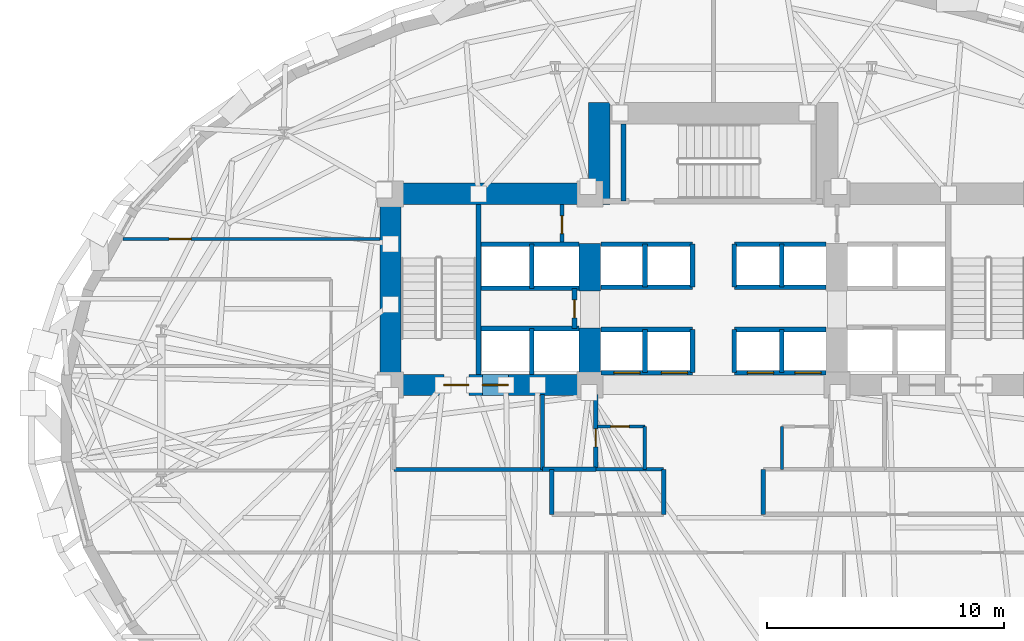
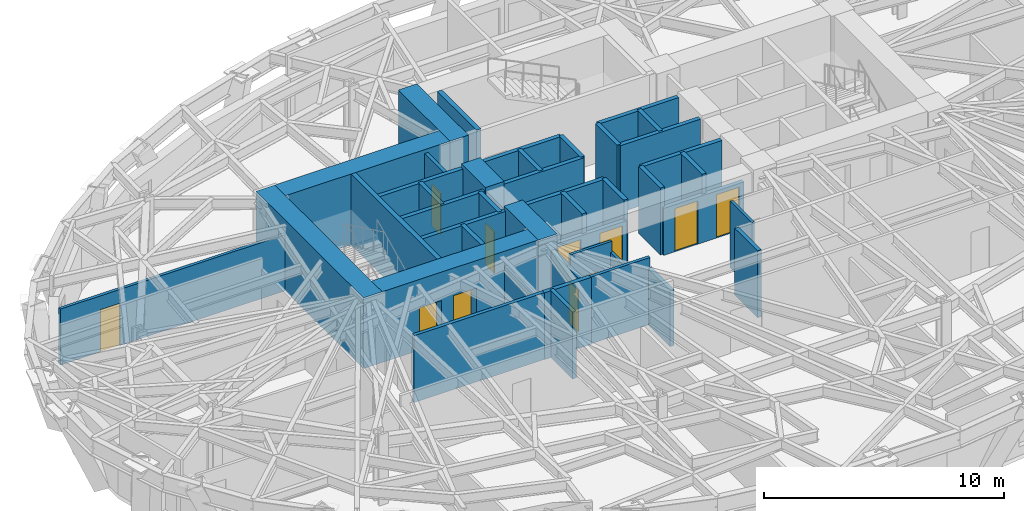
# One storey, part 7 of 14: 43 walls, 11 doors, 11 openings.
"""IFC4 building model written with IfcOpenShell, lengths in metres."""

from ifc_helpers import new_model, si_unit, direction, frame, frame_2d, origin, place, context, subcontext, project, spatial, rectangle, extrude, material, layer, layer_set, type_object, element, fill, save


model = new_model("IFC4")

# Units and contexts
model_context = context("Model", 3, precision=1e-05, world=origin(), true_north=direction((0.0, 1.0)))
body_context = subcontext(model_context, "Body", "Model", "MODEL_VIEW")
ifc_project = project(units=[si_unit("LENGTHUNIT", "METRE"), si_unit("AREAUNIT", "SQUARE_METRE"), si_unit("VOLUMEUNIT", "CUBIC_METRE"), si_unit("PLANEANGLEUNIT", "RADIAN"), si_unit("MASSUNIT", "GRAM", prefix="KILO")], contexts=[model_context])

# Site, building, storey
site_placement = place(None, origin())
site = spatial("IfcSite", under=ifc_project, at=site_placement, CompositionType="ELEMENT")
building_placement = place(site_placement, origin())
building = spatial("IfcBuilding", under=site, at=building_placement, Name="Keldmark Tower", CompositionType="ELEMENT")
storey_placement = place(building_placement, frame((0.0, 0.0, 52.199951171875)))
storey = spatial("IfcBuildingStorey", under=building, at=storey_placement, Name="L13", CompositionType="ELEMENT", Elevation=52.199951171875)

# Wall, opening, door
ifc_material_1 = material(Name="Acoustic Double-Layer Gypsum Corridor Partition", Category="gypsum")
ifc_layer_1 = layer(ifc_material_1, 0.139892578125)
ifc_layer_set_1 = layer_set([ifc_layer_1], Name="Acoustic Double-Layer Gypsum Corridor Partition")
wall_type_1 = type_object("IfcWallType", Name="Acoustic Corridor Partition 140 mm", PredefinedType="PARTITIONING", material=ifc_layer_set_1)
wall_1_placement = place(storey_placement, frame((-24.85595703125, 7.550048828125, 0.0), z_axis=(0.0, 0.0, 1.0), x_axis=(1.0, 0.0, 0.0)))
wall_1 = element("IfcWall", 1, at=wall_1_placement, inside=storey, type_object=wall_type_1, Name="L13 Acoustic Corridor Partition 140 mm COR-WN-CAP", PredefinedType="PARTITIONING", context=body_context, shape_type="SweptSolid", body=[
    extrude(rectangle(XDim=10.805908203125, YDim=0.139892578125, at=frame_2d((5.40283203125, 0.0))), origin(), (0.0, 0.0, 1.0), 2.85302734375),
])
opening_1_placement = place(wall_1_placement, frame((1.939208984375, 0.0, 0.0)))
opening_1 = element("IfcOpeningElement", 2, at=opening_1_placement, cuts=wall_1, Name="Opening D-EX092", PredefinedType="OPENING", context=body_context, shape_type="SweptSolid", body=[
    extrude(rectangle(XDim=0.919921875, YDim=2.14990234375, at=frame_2d((0.4599609375, 1.074951171875))), frame((0.0, 0.079833984375, 0.0), z_axis=(0.0, -1.0, 0.0), x_axis=(1.0, 0.0, 0.0)), (0.0, 0.0, 1.0), 0.159912109375),
])
ifc_material_2 = material(Name="Flush American Ash Executive Office Door", Category="wood")
door_type_1 = type_object("IfcDoorType", Name="Executive Office Door 920x2150", OperationType="NOTDEFINED", PredefinedType="DOOR", material=ifc_material_2)
door_1_placement = place(opening_1_placement, origin())
door_1 = element("IfcDoor", 3, at=door_1_placement, inside=storey, type_object=door_type_1, Name="L13 Executive Office Door 920x2150 D-NRNW-L13", OperationType="SINGLE_SWING_RIGHT", OverallHeight=2.14990234375, OverallWidth=0.919921875, PredefinedType="DOOR", context=body_context, shape_type="SweptSolid", body=[
    extrude(rectangle(XDim=0.919921875, YDim=2.14990234375, at=frame_2d((0.4599609375, 1.074951171875))), frame((0.0, 0.02490234375, 0.0), z_axis=(0.0, -1.0, 0.0), x_axis=(1.0, 0.0, 0.0)), (0.0, 0.0, 1.0), 0.050048828125),
])
fill(opening_1, door_1)

# Walls
ifc_material_3 = material(Name="Heavy Acoustic Plumbing Chase Gypsum Assembly", Category="gypsum")
ifc_layer_2 = layer(ifc_material_3, 0.18994140625)
ifc_layer_set_2 = layer_set([ifc_layer_2], Name="Heavy Acoustic Plumbing Chase Gypsum Assembly")
wall_type_2 = type_object("IfcWallType", Name="Heavy Wet Wall 190 mm", PredefinedType="PLUMBINGWALL", material=ifc_layer_set_2)
wall_2_placement = place(storey_placement, frame((-6.800048828125, -4.050048828125, 0.0), z_axis=(0.0, 0.0, 1.0), x_axis=(0.0, 1.0, 0.0)))
element("IfcWall", 4, at=wall_2_placement, inside=storey, type_object=wall_type_2, Name="L13 Heavy Wet Wall 190 mm SPK-W-W", PredefinedType="PLUMBINGWALL", context=body_context, shape_type="SweptSolid", body=[
    extrude(rectangle(XDim=1.900146484375, YDim=0.18994140625, at=frame_2d((0.9501953125, 0.0))), origin(), (0.0, 0.0, 1.0), 3.400146484375),
])
wall_3_placement = place(storey_placement, frame((-2.10009765625, -4.050048828125, 0.0), z_axis=(0.0, 0.0, 1.0), x_axis=(0.0, 1.0, 0.0)))
element("IfcWall", 5, at=wall_3_placement, inside=storey, type_object=wall_type_2, Name="L13 Heavy Wet Wall 190 mm SPK-W-E", PredefinedType="PLUMBINGWALL", context=body_context, shape_type="SweptSolid", body=[
    extrude(rectangle(XDim=1.900146484375, YDim=0.18994140625, at=frame_2d((0.9501953125, 0.0))), origin(), (0.0, 0.0, 1.0), 2.85302734375),
])
wall_4_placement = place(storey_placement, frame((2.10009765625, -4.050048828125, 0.0), z_axis=(0.0, 0.0, 1.0), x_axis=(0.0, 1.0, 0.0)))
element("IfcWall", 6, at=wall_4_placement, inside=storey, type_object=wall_type_2, Name="L13 Heavy Wet Wall 190 mm SPK-E-W", PredefinedType="PLUMBINGWALL", context=body_context, shape_type="SweptSolid", body=[
    extrude(rectangle(XDim=1.900146484375, YDim=0.18994140625, at=frame_2d((0.9501953125, 0.0))), origin(), (0.0, 0.0, 1.0), 3.400146484375),
])

# Wall, opening, door
ifc_material_4 = material(Name="Acoustic Gypsum Board Interior Partition", Category="gypsum")
ifc_layer_3 = layer(ifc_material_4, 0.1298828125)
ifc_layer_set_3 = layer_set([ifc_layer_3], Name="Acoustic Gypsum Board Interior Partition")
wall_type_3 = type_object("IfcWallType", Name="Interior Partition 130 mm", PredefinedType="PARTITIONING", material=ifc_layer_set_3)
wall_5_placement = place(storey_placement, frame((-4.8798828125, -0.35009765625, 0.0), z_axis=(0.0, 0.0, 1.0), x_axis=(1.0, 0.0, 0.0)))
wall_5 = element("IfcWall", 7, at=wall_5_placement, inside=storey, type_object=wall_type_3, Name="L13 Interior Partition 130 mm CSC-W-N", PredefinedType="PARTITIONING", context=body_context, shape_type="SweptSolid", body=[
    extrude(rectangle(XDim=1.989990234375, YDim=0.1298828125, at=frame_2d((0.9951171875, 0.0))), origin(), (0.0, 0.0, 1.0), 3.400146484375),
])
opening_2_placement = place(wall_5_placement, frame((0.550048828125, 0.0, 0.0)))
opening_2 = element("IfcOpeningElement", 8, at=opening_2_placement, cuts=wall_5, Name="Opening D-CL078", PredefinedType="OPENING", context=body_context, shape_type="SweptSolid", body=[
    extrude(rectangle(XDim=0.780029296875, YDim=2.10009765625, at=frame_2d((0.39013671875, 1.050048828125))), frame((0.0, 0.074951171875, 0.0), z_axis=(0.0, -1.0, 0.0), x_axis=(1.0, 0.0, 0.0)), (0.0, 0.0, 1.0), 0.14990234375),
])
ifc_material_5 = material(Name="Flush Utility Closet Timber Door", Category="wood")
door_type_2 = type_object("IfcDoorType", Name="Closet Door 780x2100", OperationType="NOTDEFINED", PredefinedType="DOOR", material=ifc_material_5)
door_2_placement = place(opening_2_placement, origin())
door_2 = element("IfcDoor", 9, at=door_2_placement, inside=storey, type_object=door_type_2, Name="L13 Closet Door 780x2100 D-CSCW1-L13", OperationType="SINGLE_SWING_LEFT", OverallHeight=2.10009765625, OverallWidth=0.780029296875, PredefinedType="DOOR", context=body_context, shape_type="SweptSolid", body=[
    extrude(rectangle(XDim=0.780029296875, YDim=2.10009765625, at=frame_2d((0.39013671875, 1.050048828125))), frame((0.0, 0.02490234375, 0.0), z_axis=(0.0, -1.0, 0.0), x_axis=(1.0, 0.0, 0.0)), (0.0, 0.0, 1.0), 0.050048828125),
])
fill(opening_2, door_2)

# Walls
wall_6_placement = place(storey_placement, frame((-2.889892578125, -2.14990234375, 0.0), z_axis=(0.0, 0.0, 1.0), x_axis=(0.0, 1.0, 0.0)))
element("IfcWall", 10, at=wall_6_placement, inside=storey, type_object=wall_type_3, Name="L13 Interior Partition 130 mm CSC-W-E", PredefinedType="PARTITIONING", context=body_context, shape_type="SweptSolid", body=[
    extrude(rectangle(XDim=1.7998046875, YDim=0.1298828125, at=frame_2d((0.89990234375, 0.0))), origin(), (0.0, 0.0, 1.0), 2.85302734375),
])
wall_7_placement = place(storey_placement, frame((2.889892578125, -2.14990234375, 0.0), z_axis=(0.0, 0.0, 1.0), x_axis=(0.0, 1.0, 0.0)))
element("IfcWall", 11, at=wall_7_placement, inside=storey, type_object=wall_type_3, Name="L13 Interior Partition 130 mm CSC-E-W", PredefinedType="PARTITIONING", context=body_context, shape_type="SweptSolid", body=[
    extrude(rectangle(XDim=1.7998046875, YDim=0.1298828125, at=frame_2d((0.89990234375, 0.0))), origin(), (0.0, 0.0, 1.0), 3.400146484375),
])
ifc_material_6 = material(Name="Concrete C70/85", Category="concrete")
ifc_layer_4 = layer(ifc_material_6, 0.89990234375)
ifc_layer_set_4 = layer_set([ifc_layer_4], Name="Concrete C70/85")
wall_type_4 = type_object("IfcWallType", Name="Lower Core Shear Wall 900 mm", PredefinedType="SHEAR", material=ifc_layer_set_4)
wall_8_placement = place(storey_placement, frame((-13.60009765625, 0.949951171875, 0.0), z_axis=(0.0, 0.0, 1.0), x_axis=(0.0, 1.0, 0.0)))
element("IfcWall", 12, at=wall_8_placement, inside=storey, type_object=wall_type_4, Name="L13 West Core Outer Shear Wall", PredefinedType="SHEAR", context=body_context, shape_type="SweptSolid", body=[
    extrude(rectangle(XDim=8.949951171875, YDim=0.89990234375, at=frame_2d((4.47509765625, 0.0))), origin(), (0.0, 0.0, 1.0), 3.60009765625),
])
wall_9_placement = place(storey_placement, frame((-14.050048828125, 9.449951171875, 0.0), z_axis=(0.0, 0.0, 1.0), x_axis=(1.0, 0.0, 0.0)))
element("IfcWall", 13, at=wall_9_placement, inside=storey, type_object=wall_type_4, Name="L13 West Core North Shear Wall", PredefinedType="SHEAR", context=body_context, shape_type="SweptSolid", body=[
    extrude(rectangle(XDim=9.699951171875, YDim=0.89990234375, at=frame_2d((4.85009765625, 0.0))), origin(), (0.0, 0.0, 1.0), 3.60009765625),
])

# Wall, openings, doors
wall_10_placement = place(storey_placement, frame((-4.75, 1.39990234375, 0.0), z_axis=(0.0, 0.0, 1.0), x_axis=(-1.0, 0.0, 0.0)))
wall_10 = element("IfcWall", 14, at=wall_10_placement, inside=storey, type_object=wall_type_4, Name="L13 West Core South Shear Wall", PredefinedType="SHEAR", context=body_context, shape_type="SweptSolid", body=[
    extrude(rectangle(XDim=9.300048828125, YDim=0.89990234375, at=frame_2d((4.64990234375, 0.0))), origin(), (0.0, 0.0, 1.0), 3.60009765625),
])
opening_3_placement = place(wall_10_placement, frame((5.550048828125, 0.0, 0.0)))
opening_3 = element("IfcOpeningElement", 15, at=opening_3_placement, cuts=wall_10, Name="Opening D-ST105", PredefinedType="OPENING", context=body_context, shape_type="SweptSolid", body=[
    extrude(rectangle(XDim=1.050048828125, YDim=2.14990234375, at=frame_2d((0.52490234375, 1.074951171875))), frame((0.0, 0.4599609375, 0.0), z_axis=(0.0, -1.0, 0.0), x_axis=(1.0, 0.0, 0.0)), (0.0, 0.0, 1.0), 0.919921875),
])
opening_4_placement = place(wall_10_placement, frame((3.8798828125, 0.0, 0.0)))
opening_4 = element("IfcOpeningElement", 16, at=opening_4_placement, cuts=wall_10, Name="Opening LD-110", PredefinedType="OPENING", context=body_context, shape_type="SweptSolid", body=[
    extrude(rectangle(XDim=1.10009765625, YDim=2.199951171875, at=frame_2d((0.550048828125, 1.10009765625))), frame((0.0, 0.4599609375, 0.0), z_axis=(0.0, -1.0, 0.0), x_axis=(1.0, 0.0, 0.0)), (0.0, 0.0, 1.0), 0.919921875),
])
ifc_material_7 = material(Name="Brushed Bronze Hoistway Sliding Leaf", Category="metal")
door_type_3 = type_object("IfcDoorType", Name="Lift Landing Sliding Door 1100x2200", OperationType="SLIDING_TO_LEFT", PredefinedType="DOOR", material=ifc_material_7)
door_3_placement = place(opening_4_placement, origin())
door_3 = element("IfcDoor", 17, at=door_3_placement, inside=storey, type_object=door_type_3, Name="L13 Lift Landing Sliding Door 1100x2200 LD-EL-FS1-L13", OperationType="SLIDING_TO_LEFT", OverallHeight=2.199951171875, OverallWidth=1.10009765625, PredefinedType="DOOR", context=body_context, shape_type="SweptSolid", body=[
    extrude(rectangle(XDim=1.10009765625, YDim=2.199951171875, at=frame_2d((0.550048828125, 1.10009765625))), frame((0.0, 0.02490234375, 0.0), z_axis=(0.0, -1.0, 0.0), x_axis=(1.0, 0.0, 0.0)), (0.0, 0.0, 1.0), 0.050048828125),
])
fill(opening_4, door_3)
ifc_material_8 = material(Name="Hollow Metal Fire-Rated Door Assembly", Category="metal")
door_type_4 = type_object("IfcDoorType", Name="Stair Fire Door 1050x2150", OperationType="NOTDEFINED", PredefinedType="DOOR", material=ifc_material_8)
door_4_placement = place(opening_3_placement, origin())
door_4 = element("IfcDoor", 18, at=door_4_placement, inside=storey, type_object=door_type_4, Name="L13 Stair Fire Door 1050x2150 D-ST1-L13", OperationType="SINGLE_SWING_RIGHT", OverallHeight=2.14990234375, OverallWidth=1.050048828125, PredefinedType="DOOR", context=body_context, shape_type="SweptSolid", body=[
    extrude(rectangle(XDim=1.050048828125, YDim=2.14990234375, at=frame_2d((0.52490234375, 1.074951171875))), frame((0.0, 0.02490234375, 0.0), z_axis=(0.0, -1.0, 0.0), x_axis=(1.0, 0.0, 0.0)), (0.0, 0.0, 1.0), 0.050048828125),
])
fill(opening_3, door_4)

# Walls
wall_11_placement = place(storey_placement, frame((-5.199951171875, 0.949951171875, 0.0), z_axis=(0.0, 0.0, 1.0), x_axis=(0.0, 1.0, 0.0)))
element("IfcWall", 19, at=wall_11_placement, inside=storey, type_object=wall_type_4, Name="L13 West Core Inner Shear Pier South", PredefinedType="SHEAR", context=body_context, shape_type="SweptSolid", body=[
    extrude(rectangle(XDim=2.85009765625, YDim=0.89990234375, at=frame_2d((1.425048828125, 0.0))), origin(), (0.0, 0.0, 1.0), 3.60009765625),
])
wall_12_placement = place(storey_placement, frame((-5.199951171875, 5.35009765625, 0.0), z_axis=(0.0, 0.0, 1.0), x_axis=(0.0, 1.0, 0.0)))
element("IfcWall", 20, at=wall_12_placement, inside=storey, type_object=wall_type_4, Name="L13 West Core Inner Shear Pier North", PredefinedType="SHEAR", context=body_context, shape_type="SweptSolid", body=[
    extrude(rectangle(XDim=2.0, YDim=0.89990234375, at=frame_2d((1.0, 0.0))), origin(), (0.0, 0.0, 1.0), 3.60009765625),
])
wall_13_placement = place(storey_placement, frame((-4.800048828125, 9.0, 0.0), z_axis=(0.0, 0.0, 1.0), x_axis=(0.0, 1.0, 0.0)))
element("IfcWall", 21, at=wall_13_placement, inside=storey, type_object=wall_type_4, Name="L13 North Core West Shear Wall", PredefinedType="SHEAR", context=body_context, shape_type="SweptSolid", body=[
    extrude(rectangle(XDim=4.300048828125, YDim=0.89990234375, at=frame_2d((2.14990234375, 0.0))), origin(), (0.0, 0.0, 1.0), 3.60009765625),
])
ifc_material_9 = material(Name="Type X Fire-Rated Gypsum Partition Assembly", Category="gypsum")
ifc_layer_5 = layer(ifc_material_9, 0.1650390625)
ifc_layer_set_5 = layer_set([ifc_layer_5], Name="Type X Fire-Rated Gypsum Partition Assembly")
wall_type_5 = type_object("IfcWallType", Name="Rated Partition 165 mm", PredefinedType="PARTITIONING", material=ifc_layer_set_5)
wall_14_placement = place(storey_placement, frame((-13.449951171875, -2.14990234375, 0.0), z_axis=(0.0, 0.0, 1.0), x_axis=(1.0, 0.0, 0.0)))
element("IfcWall", 22, at=wall_14_placement, inside=storey, type_object=wall_type_5, Name="L13 Rated Partition 165 mm FSAE-W-S", PredefinedType="PARTITIONING", context=body_context, shape_type="SweptSolid", body=[
    extrude(rectangle(XDim=6.25, YDim=0.1650390625, at=frame_2d((3.125, 0.0))), origin(), (0.0, 0.0, 1.0), 3.400146484375),
])
wall_15_placement = place(storey_placement, frame((-7.199951171875, -2.14990234375, 0.0), z_axis=(0.0, 0.0, 1.0), x_axis=(0.0, 1.0, 0.0)))
element("IfcWall", 23, at=wall_15_placement, inside=storey, type_object=wall_type_5, Name="L13 Rated Partition 165 mm FSAE-W-E", PredefinedType="PARTITIONING", context=body_context, shape_type="SweptSolid", body=[
    extrude(rectangle(XDim=3.14990234375, YDim=0.1650390625, at=frame_2d((1.574951171875, 0.0))), origin(), (0.0, 0.0, 1.0), 2.85302734375),
])

# Wall, opening, door
wall_16_placement = place(storey_placement, frame((-6.3798828125, 7.419921875, 0.0), z_axis=(0.0, 0.0, 1.0), x_axis=(0.0, 1.0, 0.0)))
wall_16 = element("IfcWall", 24, at=wall_16_placement, inside=storey, type_object=wall_type_5, Name="L13 Rated Partition 165 mm CS-NW-E", PredefinedType="PARTITIONING", context=body_context, shape_type="SweptSolid", body=[
    extrude(rectangle(XDim=1.580078125, YDim=0.1650390625, at=frame_2d((0.7900390625, 0.0))), origin(), (0.0, 0.0, 1.0), 3.400146484375),
])
opening_5_placement = place(wall_16_placement, frame((0.35009765625, 0.0, 0.0)))
opening_5 = element("IfcOpeningElement", 25, at=opening_5_placement, cuts=wall_16, Name="Opening D-RS075", PredefinedType="OPENING", context=body_context, shape_type="SweptSolid", body=[
    extrude(rectangle(XDim=0.75, YDim=2.10009765625, at=frame_2d((0.375, 1.050048828125))), frame((0.0, 0.092529296875, 0.0), z_axis=(0.0, -1.0, 0.0), x_axis=(1.0, 0.0, 0.0)), (0.0, 0.0, 1.0), 0.18505859375),
])
ifc_material_10 = material(Name="Galvanized Fire-Rated Access Leaf", Category="metal")
door_type_5 = type_object("IfcDoorType", Name="Riser Access Door 750x2100", OperationType="NOTDEFINED", PredefinedType="DOOR", material=ifc_material_10)
door_5_placement = place(opening_5_placement, origin())
door_5 = element("IfcDoor", 26, at=door_5_placement, inside=storey, type_object=door_type_5, Name="L13 Riser Access Door 750x2100 D-CSNW1-L13", OperationType="SINGLE_SWING_RIGHT", OverallHeight=2.10009765625, OverallWidth=0.75, PredefinedType="DOOR", context=body_context, shape_type="SweptSolid", body=[
    extrude(rectangle(XDim=0.75, YDim=2.10009765625, at=frame_2d((0.375, 1.050048828125))), frame((0.0, 0.02490234375, 0.0), z_axis=(0.0, -1.0, 0.0), x_axis=(1.0, 0.0, 0.0)), (0.0, 0.0, 1.0), 0.050048828125),
])
fill(opening_5, door_5)

# Wall
ifc_material_11 = material(Name="Fire-Resistant Type X Gypsum Shaftliner Coreboard", Category="gypsum")
ifc_layer_6 = layer(ifc_material_11, 0.199951171875)
ifc_layer_set_6 = layer_set([ifc_layer_6], Name="Fire-Resistant Type X Gypsum Shaftliner Coreboard")
wall_type_6 = type_object("IfcWallType", Name="Shaft Wall 200 mm", PredefinedType="SOLIDWALL", material=ifc_layer_set_6)
wall_17_placement = place(storey_placement, frame((-7.199951171875, -2.14990234375, 0.0), z_axis=(0.0, 0.0, 1.0), x_axis=(1.0, 0.0, 0.0)))
element("IfcWall", 27, at=wall_17_placement, inside=storey, type_object=wall_type_6, Name="L13 Shaft Wall 200 mm RIS-SW-S", PredefinedType="SOLIDWALL", context=body_context, shape_type="SweptSolid", body=[
    extrude(rectangle(XDim=2.25, YDim=0.199951171875, at=frame_2d((1.125, 0.0))), origin(), (0.0, 0.0, 1.0), 3.400146484375),
])

# Wall, opening, door
wall_18_placement = place(storey_placement, frame((-4.949951171875, -2.14990234375, 0.0), z_axis=(0.0, 0.0, 1.0), x_axis=(0.0, 1.0, 0.0)))
wall_18 = element("IfcWall", 28, at=wall_18_placement, inside=storey, type_object=wall_type_6, Name="L13 Shaft Wall 200 mm RIS-SW-E", PredefinedType="SOLIDWALL", context=body_context, shape_type="SweptSolid", body=[
    extrude(rectangle(XDim=3.14990234375, YDim=0.199951171875, at=frame_2d((1.574951171875, 0.0))), origin(), (0.0, 0.0, 1.0), 2.85302734375),
])
opening_6_placement = place(wall_18_placement, frame((0.949951171875, 0.0, 0.0)))
opening_6 = element("IfcOpeningElement", 29, at=opening_6_placement, cuts=wall_18, Name="Opening D-RS075", PredefinedType="OPENING", context=body_context, shape_type="SweptSolid", body=[
    extrude(rectangle(XDim=0.75, YDim=2.10009765625, at=frame_2d((0.375, 1.050048828125))), frame((0.0, 0.10986328125, 0.0), z_axis=(0.0, -1.0, 0.0), x_axis=(1.0, 0.0, 0.0)), (0.0, 0.0, 1.0), 0.219970703125),
])
door_6_placement = place(opening_6_placement, origin())
door_6 = element("IfcDoor", 30, at=door_6_placement, inside=storey, type_object=door_type_5, Name="L13 Riser Access Door 750x2100 D-RISSW-L13", OperationType="SINGLE_SWING_RIGHT", OverallHeight=2.10009765625, OverallWidth=0.75, PredefinedType="DOOR", context=body_context, shape_type="SweptSolid", body=[
    extrude(rectangle(XDim=0.75, YDim=2.10009765625, at=frame_2d((0.375, 1.050048828125))), frame((0.0, 0.02490234375, 0.0), z_axis=(0.0, -1.0, 0.0), x_axis=(1.0, 0.0, 0.0)), (0.0, 0.0, 1.0), 0.050048828125),
])
fill(opening_6, door_6)

# Walls
wall_19_placement = place(storey_placement, frame((-9.780029296875, 3.780029296875, 0.0), z_axis=(0.0, 0.0, 1.0), x_axis=(1.0, 0.0, 0.0)))
element("IfcWall", 31, at=wall_19_placement, inside=storey, type_object=wall_type_6, Name="L13 Shaft Wall 200 mm HW-W-S", PredefinedType="SOLIDWALL", context=body_context, shape_type="SweptSolid", body=[
    extrude(rectangle(XDim=4.130126953125, YDim=0.199951171875, at=frame_2d((2.06494140625, 0.0))), origin(), (0.0, 0.0, 1.0), 3.400146484375),
])
wall_20_placement = place(storey_placement, frame((-7.64990234375, 1.85009765625, 0.0), z_axis=(0.0, 0.0, 1.0), x_axis=(0.0, 1.0, 0.0)))
element("IfcWall", 32, at=wall_20_placement, inside=storey, type_object=wall_type_6, Name="L13 Shaft Wall 200 mm HW-W-M", PredefinedType="SOLIDWALL", context=body_context, shape_type="SweptSolid", body=[
    extrude(rectangle(XDim=1.929931640625, YDim=0.199951171875, at=frame_2d((0.96484375, 0.0))), origin(), (0.0, 0.0, 1.0), 3.400146484375),
])
for number, where, z_axis, x_axis, name in (
    (33, (-9.780029296875, 5.469970703125, 0.0), (0.0, 0.0, 1.0), (1.0, 0.0, 0.0), "L13 Shaft Wall 200 mm HW-W-N"),
    (34, (-9.780029296875, 7.330078125, 0.0), (0.0, 0.0, 1.0), (1.0, 0.0, 0.0), "L13 Shaft Wall 200 mm HW-W-TOP"),
):
    element("IfcWall", number, at=place(storey_placement, frame(where, z_axis=z_axis, x_axis=x_axis)), inside=storey, type_object=wall_type_6, Name=name, PredefinedType="SOLIDWALL", context=body_context, shape_type="SweptSolid", body=[
        extrude(rectangle(XDim=4.130126953125, YDim=0.199951171875, at=frame_2d((2.06494140625, 0.0))), origin(), (0.0, 0.0, 1.0), 3.400146484375),
    ])
wall_21_placement = place(storey_placement, frame((-7.64990234375, 5.469970703125, 0.0), z_axis=(0.0, 0.0, 1.0), x_axis=(0.0, 1.0, 0.0)))
element("IfcWall", 35, at=wall_21_placement, inside=storey, type_object=wall_type_6, Name="L13 Shaft Wall 200 mm HW-W-NM", PredefinedType="SOLIDWALL", context=body_context, shape_type="SweptSolid", body=[
    extrude(rectangle(XDim=1.860107421875, YDim=0.199951171875, at=frame_2d((0.93017578125, 0.0))), origin(), (0.0, 0.0, 1.0), 3.400146484375),
])

# Wall, opening, door
wall_22_placement = place(storey_placement, frame((-5.85009765625, 3.780029296875, 0.0), z_axis=(0.0, 0.0, 1.0), x_axis=(0.0, 1.0, 0.0)))
wall_22 = element("IfcWall", 36, at=wall_22_placement, inside=storey, type_object=wall_type_6, Name="L13 Shaft Wall 200 mm HW-W-CLOSE", PredefinedType="SOLIDWALL", context=body_context, shape_type="SweptSolid", body=[
    extrude(rectangle(XDim=1.68994140625, YDim=0.199951171875, at=frame_2d((0.844970703125, 0.0))), origin(), (0.0, 0.0, 1.0), 3.400146484375),
])
opening_7_placement = place(wall_22_placement, frame((0.449951171875, 0.0, 0.0)))
opening_7 = element("IfcOpeningElement", 37, at=opening_7_placement, cuts=wall_22, Name="Opening D-RS075", PredefinedType="OPENING", context=body_context, shape_type="SweptSolid", body=[
    extrude(rectangle(XDim=0.75, YDim=2.10009765625, at=frame_2d((0.375, 1.050048828125))), frame((0.0, 0.10986328125, 0.0), z_axis=(0.0, -1.0, 0.0), x_axis=(1.0, 0.0, 0.0)), (0.0, 0.0, 1.0), 0.219970703125),
])
door_7_placement = place(opening_7_placement, origin())
door_7 = element("IfcDoor", 38, at=door_7_placement, inside=storey, type_object=door_type_5, Name="L13 Riser Access Door 750x2100 D-RISHW-L13", OperationType="SINGLE_SWING_RIGHT", OverallHeight=2.10009765625, OverallWidth=0.75, PredefinedType="DOOR", context=body_context, shape_type="SweptSolid", body=[
    extrude(rectangle(XDim=0.75, YDim=2.10009765625, at=frame_2d((0.375, 1.050048828125))), frame((0.0, 0.02490234375, 0.0), z_axis=(0.0, -1.0, 0.0), x_axis=(1.0, 0.0, 0.0)), (0.0, 0.0, 1.0), 0.050048828125),
])
fill(opening_7, door_7)

# Wall, openings, doors
wall_23_placement = place(storey_placement, frame((-4.739990234375, 1.919921875, 0.0), z_axis=(0.0, 0.0, 1.0), x_axis=(1.0, 0.0, 0.0)))
wall_23 = element("IfcWall", 39, at=wall_23_placement, inside=storey, type_object=wall_type_6, Name="L13 Shaft Wall 200 mm LOW-S-W", PredefinedType="SOLIDWALL", context=body_context, shape_type="SweptSolid", body=[
    extrude(rectangle(XDim=3.860107421875, YDim=0.199951171875, at=frame_2d((1.93017578125, 0.0))), origin(), (0.0, 0.0, 1.0), 2.39013671875),
])
opening_8_placement = place(wall_23_placement, frame((0.550048828125, 0.0, 0.0)))
opening_8 = element("IfcOpeningElement", 40, at=opening_8_placement, cuts=wall_23, Name="Opening LD-110", PredefinedType="OPENING", context=body_context, shape_type="SweptSolid", body=[
    extrude(rectangle(XDim=1.10009765625, YDim=2.199951171875, at=frame_2d((0.550048828125, 1.10009765625))), frame((0.0, 0.10986328125, 0.0), z_axis=(0.0, -1.0, 0.0), x_axis=(1.0, 0.0, 0.0)), (0.0, 0.0, 1.0), 0.219970703125),
])
opening_9_placement = place(wall_23_placement, frame((2.550048828125, 0.0, 0.0)))
opening_9 = element("IfcOpeningElement", 41, at=opening_9_placement, cuts=wall_23, Name="Opening LD-110", PredefinedType="OPENING", context=body_context, shape_type="SweptSolid", body=[
    extrude(rectangle(XDim=1.10009765625, YDim=2.199951171875, at=frame_2d((0.550048828125, 1.10009765625))), frame((0.0, 0.10986328125, 0.0), z_axis=(0.0, -1.0, 0.0), x_axis=(1.0, 0.0, 0.0)), (0.0, 0.0, 1.0), 0.219970703125),
])
door_8_placement = place(opening_8_placement, origin())
door_8 = element("IfcDoor", 42, at=door_8_placement, inside=storey, type_object=door_type_3, Name="L13 Lift Landing Sliding Door 1100x2200 LD-EL-L1-L13", OperationType="SLIDING_TO_LEFT", OverallHeight=2.199951171875, OverallWidth=1.10009765625, PredefinedType="DOOR", context=body_context, shape_type="SweptSolid", body=[
    extrude(rectangle(XDim=1.10009765625, YDim=2.199951171875, at=frame_2d((0.550048828125, 1.10009765625))), frame((0.0, 0.02490234375, 0.0), z_axis=(0.0, -1.0, 0.0), x_axis=(1.0, 0.0, 0.0)), (0.0, 0.0, 1.0), 0.050048828125),
])
fill(opening_8, door_8)
door_9_placement = place(opening_9_placement, origin())
door_9 = element("IfcDoor", 43, at=door_9_placement, inside=storey, type_object=door_type_3, Name="L13 Lift Landing Sliding Door 1100x2200 LD-EL-L2-L13", OperationType="SLIDING_TO_LEFT", OverallHeight=2.199951171875, OverallWidth=1.10009765625, PredefinedType="DOOR", context=body_context, shape_type="SweptSolid", body=[
    extrude(rectangle(XDim=1.10009765625, YDim=2.199951171875, at=frame_2d((0.550048828125, 1.10009765625))), frame((0.0, 0.02490234375, 0.0), z_axis=(0.0, -1.0, 0.0), x_axis=(1.0, 0.0, 0.0)), (0.0, 0.0, 1.0), 0.050048828125),
])
fill(opening_9, door_9)

wall_24_placement = place(storey_placement, frame((0.8798828125, 1.919921875, 0.0), z_axis=(0.0, 0.0, 1.0), x_axis=(1.0, 0.0, 0.0)))
wall_24 = element("IfcWall", 44, at=wall_24_placement, inside=storey, type_object=wall_type_6, Name="L13 Shaft Wall 200 mm LOW-S-E", PredefinedType="SOLIDWALL", context=body_context, shape_type="SweptSolid", body=[
    extrude(rectangle(XDim=3.860107421875, YDim=0.199951171875, at=frame_2d((1.93017578125, 0.0))), origin(), (0.0, 0.0, 1.0), 2.39013671875),
])
opening_10_placement = place(wall_24_placement, frame((0.550048828125, 0.0, 0.0)))
opening_10 = element("IfcOpeningElement", 45, at=opening_10_placement, cuts=wall_24, Name="Opening LD-110", PredefinedType="OPENING", context=body_context, shape_type="SweptSolid", body=[
    extrude(rectangle(XDim=1.10009765625, YDim=2.199951171875, at=frame_2d((0.550048828125, 1.10009765625))), frame((0.0, 0.10986328125, 0.0), z_axis=(0.0, -1.0, 0.0), x_axis=(1.0, 0.0, 0.0)), (0.0, 0.0, 1.0), 0.219970703125),
])
opening_11_placement = place(wall_24_placement, frame((2.550048828125, 0.0, 0.0)))
opening_11 = element("IfcOpeningElement", 46, at=opening_11_placement, cuts=wall_24, Name="Opening LD-110", PredefinedType="OPENING", context=body_context, shape_type="SweptSolid", body=[
    extrude(rectangle(XDim=1.10009765625, YDim=2.199951171875, at=frame_2d((0.550048828125, 1.10009765625))), frame((0.0, 0.10986328125, 0.0), z_axis=(0.0, -1.0, 0.0), x_axis=(1.0, 0.0, 0.0)), (0.0, 0.0, 1.0), 0.219970703125),
])
door_10_placement = place(opening_10_placement, origin())
door_10 = element("IfcDoor", 47, at=door_10_placement, inside=storey, type_object=door_type_3, Name="L13 Lift Landing Sliding Door 1100x2200 LD-EL-L3-L13", OperationType="SLIDING_TO_LEFT", OverallHeight=2.199951171875, OverallWidth=1.10009765625, PredefinedType="DOOR", context=body_context, shape_type="SweptSolid", body=[
    extrude(rectangle(XDim=1.10009765625, YDim=2.199951171875, at=frame_2d((0.550048828125, 1.10009765625))), frame((0.0, 0.02490234375, 0.0), z_axis=(0.0, -1.0, 0.0), x_axis=(1.0, 0.0, 0.0)), (0.0, 0.0, 1.0), 0.050048828125),
])
fill(opening_10, door_10)
door_11_placement = place(opening_11_placement, origin())
door_11 = element("IfcDoor", 48, at=door_11_placement, inside=storey, type_object=door_type_3, Name="L13 Lift Landing Sliding Door 1100x2200 LD-EL-L4-L13", OperationType="SLIDING_TO_LEFT", OverallHeight=2.199951171875, OverallWidth=1.10009765625, PredefinedType="DOOR", context=body_context, shape_type="SweptSolid", body=[
    extrude(rectangle(XDim=1.10009765625, YDim=2.199951171875, at=frame_2d((0.550048828125, 1.10009765625))), frame((0.0, 0.02490234375, 0.0), z_axis=(0.0, -1.0, 0.0), x_axis=(1.0, 0.0, 0.0)), (0.0, 0.0, 1.0), 0.050048828125),
])
fill(opening_11, door_11)

# Walls
for number, where, z_axis, x_axis, name in (
    (49, (-4.739990234375, 3.739990234375, 0.0), (0.0, 0.0, 1.0), (1.0, 0.0, 0.0), "L13 Shaft Wall 200 mm LOW-N-W"),
    (50, (0.8798828125, 3.739990234375, 0.0), (0.0, 0.0, 1.0), (1.0, 0.0, 0.0), "L13 Shaft Wall 200 mm LOW-N-E"),
):
    element("IfcWall", number, at=place(storey_placement, frame(where, z_axis=z_axis, x_axis=x_axis)), inside=storey, type_object=wall_type_6, Name=name, PredefinedType="SOLIDWALL", context=body_context, shape_type="SweptSolid", body=[
        extrude(rectangle(XDim=3.860107421875, YDim=0.199951171875, at=frame_2d((1.93017578125, 0.0))), origin(), (0.0, 0.0, 1.0), 3.400146484375),
    ])
for number, where, z_axis, x_axis, name in (
    (51, (-2.8798828125, 1.919921875, 0.0), (0.0, 0.0, 1.0), (0.0, 1.0, 0.0), "L13 Shaft Wall 200 mm LOW-M-W"),
    (52, (2.8798828125, 1.919921875, 0.0), (0.0, 0.0, 1.0), (0.0, 1.0, 0.0), "L13 Shaft Wall 200 mm LOW-M-E"),
    (53, (-0.8798828125, 1.919921875, 0.0), (0.0, 0.0, 1.0), (0.0, 1.0, 0.0), "L13 Shaft Wall 200 mm LOW-C-W"),
    (54, (0.8798828125, 1.919921875, 0.0), (0.0, 0.0, 1.0), (0.0, 1.0, 0.0), "L13 Shaft Wall 200 mm LOW-C-E"),
):
    element("IfcWall", number, at=place(storey_placement, frame(where, z_axis=z_axis, x_axis=x_axis)), inside=storey, type_object=wall_type_6, Name=name, PredefinedType="SOLIDWALL", context=body_context, shape_type="SweptSolid", body=[
        extrude(rectangle(XDim=1.820068359375, YDim=0.199951171875, at=frame_2d((0.91015625, 0.0))), origin(), (0.0, 0.0, 1.0), 3.400146484375),
    ])
for number, where, z_axis, x_axis, name in (
    (55, (-4.739990234375, 5.52001953125, 0.0), (0.0, 0.0, 1.0), (1.0, 0.0, 0.0), "L13 Shaft Wall 200 mm MID-S-W"),
    (56, (0.8798828125, 5.52001953125, 0.0), (0.0, 0.0, 1.0), (1.0, 0.0, 0.0), "L13 Shaft Wall 200 mm MID-S-E"),
    (57, (-4.739990234375, 7.330078125, 0.0), (0.0, 0.0, 1.0), (1.0, 0.0, 0.0), "L13 Shaft Wall 200 mm MID-N-W"),
    (58, (0.8798828125, 7.330078125, 0.0), (0.0, 0.0, 1.0), (1.0, 0.0, 0.0), "L13 Shaft Wall 200 mm MID-N-E"),
):
    element("IfcWall", number, at=place(storey_placement, frame(where, z_axis=z_axis, x_axis=x_axis)), inside=storey, type_object=wall_type_6, Name=name, PredefinedType="SOLIDWALL", context=body_context, shape_type="SweptSolid", body=[
        extrude(rectangle(XDim=3.860107421875, YDim=0.199951171875, at=frame_2d((1.93017578125, 0.0))), origin(), (0.0, 0.0, 1.0), 3.400146484375),
    ])
for number, where, z_axis, x_axis, name in (
    (59, (-2.8798828125, 5.52001953125, 0.0), (0.0, 0.0, 1.0), (0.0, 1.0, 0.0), "L13 Shaft Wall 200 mm MID-M-W"),
    (60, (2.8798828125, 5.52001953125, 0.0), (0.0, 0.0, 1.0), (0.0, 1.0, 0.0), "L13 Shaft Wall 200 mm MID-M-E"),
    (61, (-0.8798828125, 5.52001953125, 0.0), (0.0, 0.0, 1.0), (0.0, 1.0, 0.0), "L13 Shaft Wall 200 mm MID-C-W"),
    (62, (0.8798828125, 5.52001953125, 0.0), (0.0, 0.0, 1.0), (0.0, 1.0, 0.0), "L13 Shaft Wall 200 mm MID-C-E"),
):
    element("IfcWall", number, at=place(storey_placement, frame(where, z_axis=z_axis, x_axis=x_axis)), inside=storey, type_object=wall_type_6, Name=name, PredefinedType="SOLIDWALL", context=body_context, shape_type="SweptSolid", body=[
        extrude(rectangle(XDim=1.81005859375, YDim=0.199951171875, at=frame_2d((0.905029296875, 0.0))), origin(), (0.0, 0.0, 1.0), 3.400146484375),
    ])
ifc_material_12 = material(Name="Concrete C50/60", Category="concrete")
ifc_layer_7 = layer(ifc_material_12, 0.219970703125)
ifc_layer_set_7 = layer_set([ifc_layer_7], Name="Concrete C50/60")
wall_type_7 = type_object("IfcWallType", Name="Stair Core Shear Wall 220 mm", PredefinedType="SHEAR", material=ifc_layer_set_7)
wall_25_placement = place(storey_placement, frame((-9.889892578125, 1.85009765625, 0.0), z_axis=(0.0, 0.0, 1.0), x_axis=(0.0, 1.0, 0.0)))
element("IfcWall", 63, at=wall_25_placement, inside=storey, type_object=wall_type_7, Name="L13 West Stair Core Shear Wall", PredefinedType="SHEAR", context=body_context, shape_type="SweptSolid", body=[
    extrude(rectangle(XDim=7.14990234375, YDim=0.219970703125, at=frame_2d((3.574951171875, 0.0))), origin(), (0.0, 0.0, 1.0), 3.60009765625),
])
wall_26_placement = place(storey_placement, frame((-3.784912109375, 9.139892578125, 0.0), z_axis=(0.0, 0.0, 1.0), x_axis=(0.0, 1.0, 0.0)))
element("IfcWall", 64, at=wall_26_placement, inside=storey, type_object=wall_type_7, Name="L13 Central Stair Core West Shear Wall", PredefinedType="SHEAR", context=body_context, shape_type="SweptSolid", body=[
    extrude(rectangle(XDim=3.260009765625, YDim=0.219970703125, at=frame_2d((1.6298828125, 0.0))), origin(), (0.0, 0.0, 1.0), 3.60009765625),
])
ifc_material_13 = material(Name="Moisture-Resistant Gypsum Plumbing Partition", Category="gypsum")
ifc_layer_8 = layer(ifc_material_13, 0.14990234375)
ifc_layer_set_8 = layer_set([ifc_layer_8], Name="Moisture-Resistant Gypsum Plumbing Partition")
wall_type_8 = type_object("IfcWallType", Name="Wet Wall 150 mm", PredefinedType="PLUMBINGWALL", material=ifc_layer_set_8)
wall_27_placement = place(storey_placement, frame((-4.949951171875, -2.14990234375, 0.0), z_axis=(0.0, 0.0, 1.0), x_axis=(1.0, 0.0, 0.0)))
element("IfcWall", 65, at=wall_27_placement, inside=storey, type_object=wall_type_8, Name="L13 Wet Wall 150 mm SPK-W-N", PredefinedType="PLUMBINGWALL", context=body_context, shape_type="SweptSolid", body=[
    extrude(rectangle(XDim=2.849853515625, YDim=0.14990234375, at=frame_2d((1.4248046875, 0.0))), origin(), (0.0, 0.0, 1.0), 3.400146484375),
])

save(model, "model.ifc")
